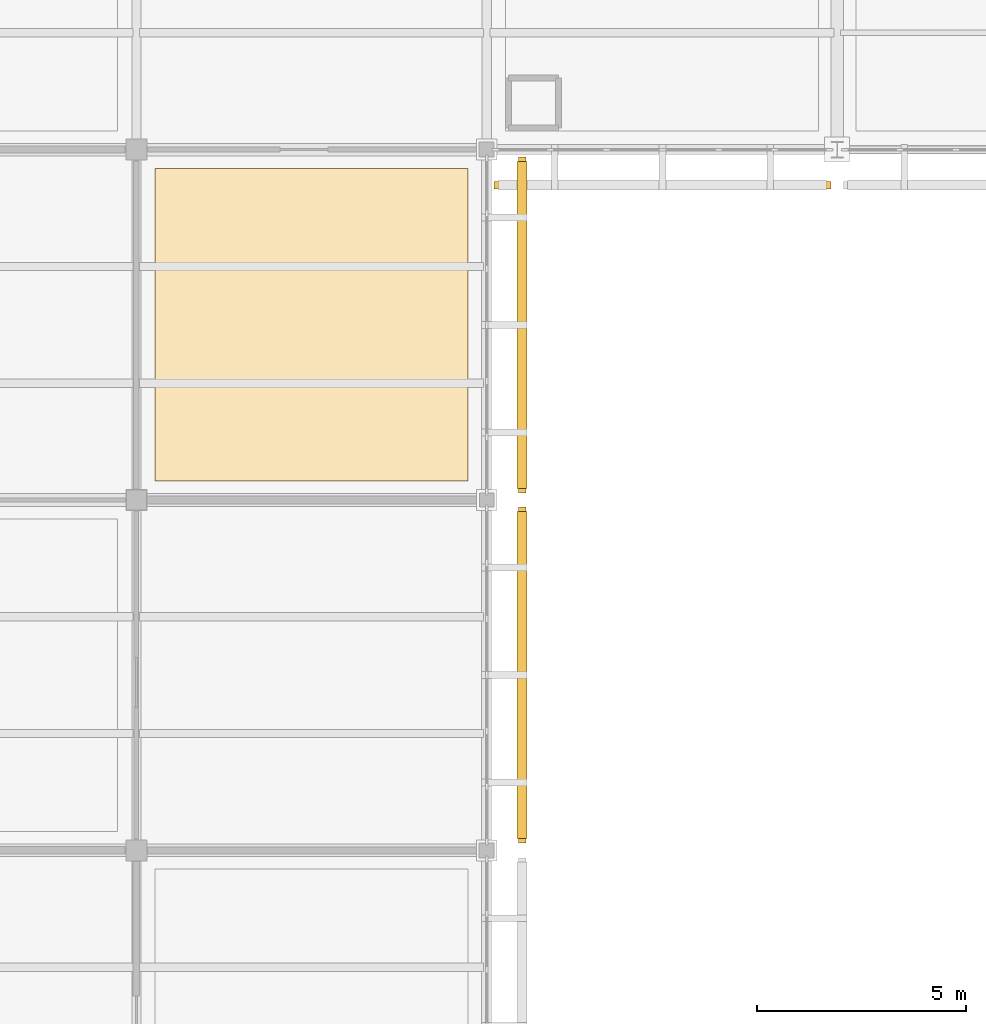
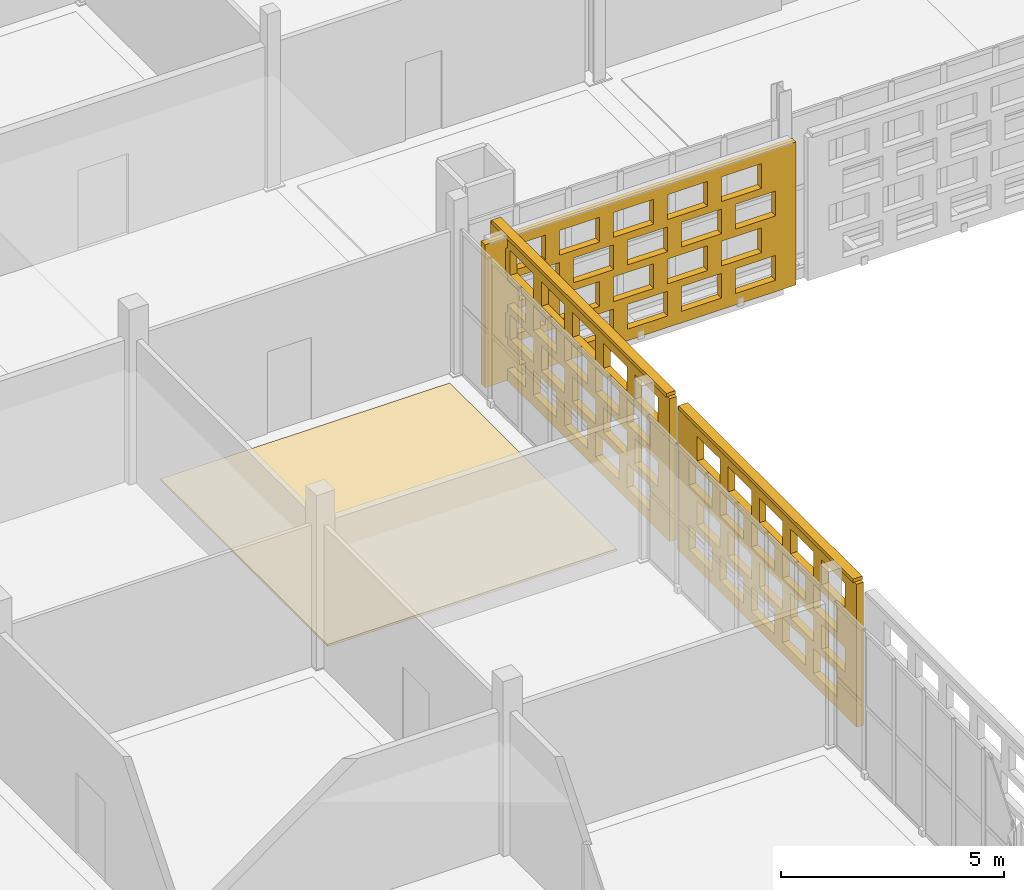
# One storey, part 159 of 203: 4 coverings, 2 shading devices, 60 openings.
"""IFC4 building model written with IfcOpenShell, lengths in metres."""

import ifcopenshell
import ifcopenshell.guid

model = None  # the IFC model being written
_history = None  # IfcOwnerHistory: only IFC2X3 demands one
_inside = {}  # id of a spatial element -> (the spatial element, [elements in it])
_under = {}  # id of a project, library or spatial element -> (it, [spatial elements below it])
_declared = {}  # id of a project -> (the project, [libraries it declares])
_typed = {}  # id of a type object -> (the type object, [elements of that type])
_made_of = {}  # id of a material, layer set ... -> (it, [elements and type objects made of it])


def new_model(schema):
    """Start an empty IFC model of exactly this schema.

    Asked for "IFC4X3", IfcOpenShell would pick the latest addendum, in which some entities
    have other attributes; the version numbers below select the first issue.
    IFC2X3 requires an IfcOwnerHistory on every rooted entity: one is made here for all.
    """
    global model, _history
    if schema == "IFC4X3":
        model = ifcopenshell.file(schema_version=(4, 3, 0, 0))
    else:
        model = ifcopenshell.file(schema=schema)
    _inside.clear()
    _under.clear()
    _declared.clear()
    _typed.clear()
    _made_of.clear()
    _history = None
    if model.schema == "IFC2X3":
        org = make("IfcOrganization", Name="unknown")
        user = make(
            "IfcPersonAndOrganization",
            ThePerson=make("IfcPerson", FamilyName="unknown"),
            TheOrganization=org,
        )
        app = make(
            "IfcApplication",
            ApplicationDeveloper=org,
            Version="unknown",
            ApplicationFullName="unknown",
            ApplicationIdentifier="unknown",
        )
        _history = make(
            "IfcOwnerHistory",
            OwningUser=user,
            OwningApplication=app,
            ChangeAction="ADDED",
            CreationDate=0,
        )
    return model


def make(cls, **values):
    """One entity of the class cls with the attributes given. An attribute that is None is left unset."""
    return model.create_entity(
        cls, **{name: value for name, value in values.items() if value is not None}
    )


def rooted(cls, **values):
    """An entity with a GlobalId (a new one), such as an element, a storey or a relation."""
    return make(cls, GlobalId=ifcopenshell.guid.new(), OwnerHistory=_history, **values)


def si_unit(unit_type, name, prefix=None):
    """IfcSIUnit, for example si_unit("LENGTHUNIT", "METRE", prefix="MILLI")."""
    return make("IfcSIUnit", UnitType=unit_type, Prefix=prefix, Name=name)


def assignment(units):
    """IfcUnitAssignment: the units of a project."""
    return None if units is None else make("IfcUnitAssignment", Units=units)


def point(xyz):
    """IfcCartesianPoint."""
    return None if xyz is None else make("IfcCartesianPoint", Coordinates=xyz)


def direction(xyz):
    """IfcDirection."""
    return None if xyz is None else make("IfcDirection", DirectionRatios=xyz)


def frame(location, z_axis=None, x_axis=None):
    """IfcAxis2Placement3D, a coordinate frame: its origin and axes. An axis left out is left unset."""
    return make(
        "IfcAxis2Placement3D",
        Location=point(location),
        Axis=direction(z_axis),
        RefDirection=direction(x_axis),
    )


def frame_2d(location, x_axis=None):
    """IfcAxis2Placement2D, a coordinate frame in the plane: its origin and x axis."""
    return make(
        "IfcAxis2Placement2D", Location=point(location), RefDirection=direction(x_axis)
    )


def origin():
    """The frame at (0, 0, 0) with its axes left unset."""
    return frame((0.0, 0.0, 0.0))


def origin_2d():
    """The frame at (0, 0) in the plane with its x axis left unset."""
    return frame_2d((0.0, 0.0))


def place(relative_to, where):
    """IfcLocalPlacement: puts the frame where relative to a parent placement (None: the world)."""
    return make(
        "IfcLocalPlacement", PlacementRelTo=relative_to, RelativePlacement=where
    )


def context(
    kind, dimensions, precision=None, world=None, true_north=None, identifier=None
):
    """IfcGeometricRepresentationContext, for example the 3D "Model" context."""
    return make(
        "IfcGeometricRepresentationContext",
        ContextIdentifier=identifier,
        ContextType=kind,
        CoordinateSpaceDimension=dimensions,
        Precision=precision,
        WorldCoordinateSystem=world,
        TrueNorth=true_north,
    )


def subcontext(parent, identifier, kind, view, scale=None):
    """IfcGeometricRepresentationSubContext, for example "Body" below "Model"."""
    return make(
        "IfcGeometricRepresentationSubContext",
        ContextIdentifier=identifier,
        ContextType=kind,
        ParentContext=parent,
        TargetScale=scale,
        TargetView=view,
    )


def project(units=None, contexts=None):
    """IfcProject with its units and contexts."""
    return rooted(
        "IfcProject",
        Name="project",
        RepresentationContexts=contexts,
        UnitsInContext=assignment(units),
    )


def spatial(cls, under=None, at=None, **own):
    """A site, building, storey or space (cls), placed at a placement, below another one or the project."""
    s = rooted(cls, ObjectPlacement=at, **own)
    if under is not None:
        _under.setdefault(under.id(), (under, []))[1].append(s)
    return s


def profile(cls, at=None, kind="AREA", **sizes):
    """A parametric profile (cls). Its sizes go by their IFC names, for example OverallWidth=200.0."""
    return make(cls, ProfileType=kind, Position=at, **sizes)


def rectangle(**sizes):
    """IfcRectangleProfileDef."""
    return profile("IfcRectangleProfileDef", **sizes)


def extrude(swept, where, along, depth):
    """IfcExtrudedAreaSolid: the profile swept, set in the frame where, extruded along a direction by depth."""
    return make(
        "IfcExtrudedAreaSolid",
        SweptArea=swept,
        Position=where,
        ExtrudedDirection=direction(along),
        Depth=depth,
    )


def shape(context_of_items, identifier, shape_type, items):
    """IfcShapeRepresentation: the items that make up one representation, for example the "Body"."""
    return make(
        "IfcShapeRepresentation",
        ContextOfItems=context_of_items,
        RepresentationIdentifier=identifier,
        RepresentationType=shape_type,
        Items=items,
    )


def material(Name=None, Category=None):
    """IfcMaterial."""
    return make("IfcMaterial", Name=Name, Category=Category)


def layer(
    of_material, thickness, ventilated=None, Name=None, Category=None, Priority=None
):
    """IfcMaterialLayer: one layer of a wall or slab, of a material (None: an air gap)."""
    return make(
        "IfcMaterialLayer",
        Material=of_material,
        LayerThickness=thickness,
        IsVentilated=ventilated,
        Name=Name,
        Category=Category,
        Priority=Priority,
    )


def layer_set(layers, Name=None):
    """IfcMaterialLayerSet."""
    return make("IfcMaterialLayerSet", MaterialLayers=layers, LayerSetName=Name)


def made_of(thing, what):
    """Note that an element or type object is made of a material, layer set ...; save() writes the relation."""
    if what is not None:
        _made_of.setdefault(what.id(), (what, []))[1].append(thing)
    return thing


def type_object(cls, material=None, **own):
    """A type object (cls), such as IfcWallType, which elements share."""
    return made_of(rooted(cls, **own), material)


def element(
    cls,
    number,
    at=None,
    inside=None,
    cuts=None,
    type_object=None,
    material=None,
    context=None,
    identifier="Body",
    shape_type=None,
    held_by="IfcProductDefinitionShape",
    body=None,
    shapes=None,
    **own,
):
    """One element of the class cls, such as IfcWall. Its Tag is "e" and its number.

    at: its placement. inside: the storey or other place that contains it. cuts: it is an
    opening in that element (IfcRelVoidsElement). A single representation is given by context,
    identifier, shape_type and body (its items); several are given by shapes. held_by: the class
    of the entity that holds the representations. save() writes the other relations.
    """
    e = rooted(cls, Tag="e%d" % number, ObjectPlacement=at, **own)
    if body is not None:
        shapes = [shape(context, identifier, shape_type, body)]
    if shapes is not None:
        e.Representation = make(held_by, Representations=shapes)
    if inside is not None:
        _inside.setdefault(inside.id(), (inside, []))[1].append(e)
    if cuts is not None:
        rooted(
            "IfcRelVoidsElement", RelatingBuildingElement=cuts, RelatedOpeningElement=e
        )
    if type_object is not None:
        _typed.setdefault(type_object.id(), (type_object, []))[1].append(e)
    return made_of(e, material)


def aggregate(whole, parts):
    """IfcRelAggregates: a whole, such as a stair, and the parts it consists of."""
    return rooted("IfcRelAggregates", RelatingObject=whole, RelatedObjects=parts)


def save(model, path):
    """Write the relations noted so far, then the file.

    IfcRelAggregates (storeys below a building ...), IfcRelContainedInSpatialStructure (elements
    in a storey), IfcRelDefinesByType, IfcRelAssociatesMaterial and IfcRelDeclares: one each for
    every whole, place, type object, material and project.
    """
    for whole, parts in _under.values():
        aggregate(whole, parts)
    for where, things in _inside.values():
        rooted(
            "IfcRelContainedInSpatialStructure",
            RelatedElements=things,
            RelatingStructure=where,
        )
    for kind, things in _typed.values():
        rooted("IfcRelDefinesByType", RelatedObjects=things, RelatingType=kind)
    for what, things in _made_of.values():
        rooted("IfcRelAssociatesMaterial", RelatedObjects=things, RelatingMaterial=what)
    for by, libraries in _declared.values():
        rooted("IfcRelDeclares", RelatingContext=by, RelatedDefinitions=libraries)
    model.write(path)


model = new_model("IFC4")

# Units and contexts
model_context = context("Model", 3, precision=1e-05, world=origin(), true_north=direction((0.0, 1.0)))
body_context = subcontext(model_context, "Body", "Model", "MODEL_VIEW")
ifc_project = project(units=[si_unit("LENGTHUNIT", "METRE"), si_unit("AREAUNIT", "SQUARE_METRE"), si_unit("VOLUMEUNIT", "CUBIC_METRE"), si_unit("PLANEANGLEUNIT", "RADIAN"), si_unit("MASSUNIT", "GRAM", prefix="KILO")], contexts=[model_context])

# Site, building, storey
site_placement = place(None, origin())
site = spatial("IfcSite", under=ifc_project, at=site_placement, CompositionType="ELEMENT")
building_placement = place(site_placement, origin())
building = spatial("IfcBuilding", under=site, at=building_placement, Name="Varnapada Polytechnic", CompositionType="ELEMENT")
storey_placement = place(building_placement, frame((0.0, 0.0, 4.800048828125)))
storey = spatial("IfcBuildingStorey", under=building, at=storey_placement, Name="L01", CompositionType="ELEMENT", Elevation=4.800048828125)

# Covering
ifc_material_1 = material(Name="Anti-Static Raised Laboratory Flooring")
ifc_layer_1 = layer(ifc_material_1, 0.06005859375)
ifc_layer_set_1 = layer_set([ifc_layer_1], Name="Anti-Static Raised Laboratory Flooring")
covering_type_1 = type_object("IfcCoveringType", Name="Floor Finish FLR-02", PredefinedType="FLOORING", material=ifc_layer_set_1)
covering_1_placement = place(storey_placement, frame((37.800048828125, 79.800048828125, 0.0), z_axis=(0.0, 0.0, 1.0), x_axis=(1.0, 0.0, 0.0)))
element("IfcCovering", 1, at=covering_1_placement, inside=storey, type_object=covering_type_1, Name="L01 floor finish panel (5,10)", PredefinedType="FLOORING", context=body_context, shape_type="SweptSolid", body=[
    extrude(rectangle(XDim=7.5, YDim=7.5, at=origin_2d()), origin(), (0.0, 0.0, 1.0), 0.06005859375),
])

# Covering, openings
ifc_material_2 = material(Name="Earth-toned architectural terracotta screen block", Category="masonry")
ifc_layer_2 = layer(ifc_material_2, 0.1201171875)
ifc_layer_set_2 = layer_set([ifc_layer_2], Name="Earth-toned architectural terracotta screen block")
covering_type_2 = type_object("IfcCoveringType", Name="Terracotta Screen Cladding CLD-01", PredefinedType="CLADDING", material=ifc_layer_set_2)
covering_2_placement = place(storey_placement, frame((42.85009765625, 75.429931640625, 0.0), z_axis=(0.0, 0.0, 1.0), x_axis=(0.0, -1.0, 0.0)))
covering_2 = element("IfcCovering", 2, at=covering_2_placement, inside=storey, type_object=covering_type_2, Name="L01 perforated terracotta block screen (33)", PredefinedType="CLADDING", context=body_context, shape_type="SweptSolid", body=[
    extrude(rectangle(XDim=8.050048828125, YDim=0.179931640625, at=frame_2d((4.02490234375, 0.0))), origin(), (0.0, 0.0, 1.0), 3.919921875),
])
opening_1_placement = place(covering_2_placement, frame((0.52490234375, 0.0, 0.313720703125)))
element("IfcOpeningElement", 3, at=opening_1_placement, cuts=covering_2, Name="Screen perforation TBS-L01-032.1", PredefinedType="OPENING", context=body_context, shape_type="SweptSolid", body=[
    extrude(rectangle(XDim=1.0400390625, YDim=0.679931640625, at=frame_2d((0.52001953125, 0.33984375))), frame((0.0, 0.099853515625, 0.0), z_axis=(0.0, -1.0, 0.0), x_axis=(1.0, 0.0, 0.0)), (0.0, 0.0, 1.0), 0.199951171875),
])
opening_2_placement = place(covering_2_placement, frame((1.925048828125, 0.0, 0.313720703125)))
element("IfcOpeningElement", 4, at=opening_2_placement, cuts=covering_2, Name="Screen perforation TBS-L01-032.2", PredefinedType="OPENING", context=body_context, shape_type="SweptSolid", body=[
    extrude(rectangle(XDim=1.0400390625, YDim=0.679931640625, at=frame_2d((0.52001953125, 0.33984375))), frame((0.0, 0.099853515625, 0.0), z_axis=(0.0, -1.0, 0.0), x_axis=(1.0, 0.0, 0.0)), (0.0, 0.0, 1.0), 0.199951171875),
])
opening_3_placement = place(covering_2_placement, frame((3.324951171875, 0.0, 0.313720703125)))
element("IfcOpeningElement", 5, at=opening_3_placement, cuts=covering_2, Name="Screen perforation TBS-L01-032.3", PredefinedType="OPENING", context=body_context, shape_type="SweptSolid", body=[
    extrude(rectangle(XDim=1.0400390625, YDim=0.679931640625, at=frame_2d((0.52001953125, 0.33984375))), frame((0.0, 0.099853515625, 0.0), z_axis=(0.0, -1.0, 0.0), x_axis=(1.0, 0.0, 0.0)), (0.0, 0.0, 1.0), 0.199951171875),
])
opening_4_placement = place(covering_2_placement, frame((4.72509765625, 0.0, 0.313720703125)))
element("IfcOpeningElement", 6, at=opening_4_placement, cuts=covering_2, Name="Screen perforation TBS-L01-032.4", PredefinedType="OPENING", context=body_context, shape_type="SweptSolid", body=[
    extrude(rectangle(XDim=1.0400390625, YDim=0.679931640625, at=frame_2d((0.52001953125, 0.33984375))), frame((0.0, 0.099853515625, 0.0), z_axis=(0.0, -1.0, 0.0), x_axis=(1.0, 0.0, 0.0)), (0.0, 0.0, 1.0), 0.199951171875),
])
opening_5_placement = place(covering_2_placement, frame((6.125, 0.0, 0.313720703125)))
element("IfcOpeningElement", 7, at=opening_5_placement, cuts=covering_2, Name="Screen perforation TBS-L01-032.5", PredefinedType="OPENING", context=body_context, shape_type="SweptSolid", body=[
    extrude(rectangle(XDim=1.0400390625, YDim=0.679931640625, at=frame_2d((0.52001953125, 0.33984375))), frame((0.0, 0.099853515625, 0.0), z_axis=(0.0, -1.0, 0.0), x_axis=(1.0, 0.0, 0.0)), (0.0, 0.0, 1.0), 0.199951171875),
])
opening_6_placement = place(covering_2_placement, frame((0.885009765625, 0.0, 1.195556640625)))
element("IfcOpeningElement", 8, at=opening_6_placement, cuts=covering_2, Name="Screen perforation TBS-L01-032.6", PredefinedType="OPENING", context=body_context, shape_type="SweptSolid", body=[
    extrude(rectangle(XDim=1.0400390625, YDim=0.679931640625, at=frame_2d((0.52001953125, 0.33984375))), frame((0.0, 0.099853515625, 0.0), z_axis=(0.0, -1.0, 0.0), x_axis=(1.0, 0.0, 0.0)), (0.0, 0.0, 1.0), 0.199951171875),
])
opening_7_placement = place(covering_2_placement, frame((2.284912109375, 0.0, 1.195556640625)))
element("IfcOpeningElement", 9, at=opening_7_placement, cuts=covering_2, Name="Screen perforation TBS-L01-032.7", PredefinedType="OPENING", context=body_context, shape_type="SweptSolid", body=[
    extrude(rectangle(XDim=1.0400390625, YDim=0.679931640625, at=frame_2d((0.52001953125, 0.33984375))), frame((0.0, 0.099853515625, 0.0), z_axis=(0.0, -1.0, 0.0), x_axis=(1.0, 0.0, 0.0)), (0.0, 0.0, 1.0), 0.199951171875),
])
opening_8_placement = place(covering_2_placement, frame((3.68505859375, 0.0, 1.195556640625)))
element("IfcOpeningElement", 10, at=opening_8_placement, cuts=covering_2, Name="Screen perforation TBS-L01-032.8", PredefinedType="OPENING", context=body_context, shape_type="SweptSolid", body=[
    extrude(rectangle(XDim=1.0400390625, YDim=0.679931640625, at=frame_2d((0.52001953125, 0.33984375))), frame((0.0, 0.099853515625, 0.0), z_axis=(0.0, -1.0, 0.0), x_axis=(1.0, 0.0, 0.0)), (0.0, 0.0, 1.0), 0.199951171875),
])
opening_9_placement = place(covering_2_placement, frame((5.0849609375, 0.0, 1.195556640625)))
element("IfcOpeningElement", 11, at=opening_9_placement, cuts=covering_2, Name="Screen perforation TBS-L01-032.9", PredefinedType="OPENING", context=body_context, shape_type="SweptSolid", body=[
    extrude(rectangle(XDim=1.0400390625, YDim=0.679931640625, at=frame_2d((0.52001953125, 0.33984375))), frame((0.0, 0.099853515625, 0.0), z_axis=(0.0, -1.0, 0.0), x_axis=(1.0, 0.0, 0.0)), (0.0, 0.0, 1.0), 0.199951171875),
])
opening_10_placement = place(covering_2_placement, frame((6.485107421875, 0.0, 1.195556640625)))
element("IfcOpeningElement", 12, at=opening_10_placement, cuts=covering_2, Name="Screen perforation TBS-L01-032.10", PredefinedType="OPENING", context=body_context, shape_type="SweptSolid", body=[
    extrude(rectangle(XDim=1.0400390625, YDim=0.679931640625, at=frame_2d((0.52001953125, 0.33984375))), frame((0.0, 0.099853515625, 0.0), z_axis=(0.0, -1.0, 0.0), x_axis=(1.0, 0.0, 0.0)), (0.0, 0.0, 1.0), 0.199951171875),
])
opening_11_placement = place(covering_2_placement, frame((0.52490234375, 0.0, 2.07763671875)))
element("IfcOpeningElement", 13, at=opening_11_placement, cuts=covering_2, Name="Screen perforation TBS-L01-032.11", PredefinedType="OPENING", context=body_context, shape_type="SweptSolid", body=[
    extrude(rectangle(XDim=1.0400390625, YDim=0.679931640625, at=frame_2d((0.52001953125, 0.33984375))), frame((0.0, 0.099853515625, 0.0), z_axis=(0.0, -1.0, 0.0), x_axis=(1.0, 0.0, 0.0)), (0.0, 0.0, 1.0), 0.199951171875),
])
opening_12_placement = place(covering_2_placement, frame((1.925048828125, 0.0, 2.07763671875)))
element("IfcOpeningElement", 14, at=opening_12_placement, cuts=covering_2, Name="Screen perforation TBS-L01-032.12", PredefinedType="OPENING", context=body_context, shape_type="SweptSolid", body=[
    extrude(rectangle(XDim=1.0400390625, YDim=0.679931640625, at=frame_2d((0.52001953125, 0.33984375))), frame((0.0, 0.099853515625, 0.0), z_axis=(0.0, -1.0, 0.0), x_axis=(1.0, 0.0, 0.0)), (0.0, 0.0, 1.0), 0.199951171875),
])
opening_13_placement = place(covering_2_placement, frame((3.324951171875, 0.0, 2.07763671875)))
element("IfcOpeningElement", 15, at=opening_13_placement, cuts=covering_2, Name="Screen perforation TBS-L01-032.13", PredefinedType="OPENING", context=body_context, shape_type="SweptSolid", body=[
    extrude(rectangle(XDim=1.0400390625, YDim=0.679931640625, at=frame_2d((0.52001953125, 0.33984375))), frame((0.0, 0.099853515625, 0.0), z_axis=(0.0, -1.0, 0.0), x_axis=(1.0, 0.0, 0.0)), (0.0, 0.0, 1.0), 0.199951171875),
])
opening_14_placement = place(covering_2_placement, frame((4.72509765625, 0.0, 2.07763671875)))
element("IfcOpeningElement", 16, at=opening_14_placement, cuts=covering_2, Name="Screen perforation TBS-L01-032.14", PredefinedType="OPENING", context=body_context, shape_type="SweptSolid", body=[
    extrude(rectangle(XDim=1.0400390625, YDim=0.679931640625, at=frame_2d((0.52001953125, 0.33984375))), frame((0.0, 0.099853515625, 0.0), z_axis=(0.0, -1.0, 0.0), x_axis=(1.0, 0.0, 0.0)), (0.0, 0.0, 1.0), 0.199951171875),
])
opening_15_placement = place(covering_2_placement, frame((6.125, 0.0, 2.07763671875)))
element("IfcOpeningElement", 17, at=opening_15_placement, cuts=covering_2, Name="Screen perforation TBS-L01-032.15", PredefinedType="OPENING", context=body_context, shape_type="SweptSolid", body=[
    extrude(rectangle(XDim=1.0400390625, YDim=0.679931640625, at=frame_2d((0.52001953125, 0.33984375))), frame((0.0, 0.099853515625, 0.0), z_axis=(0.0, -1.0, 0.0), x_axis=(1.0, 0.0, 0.0)), (0.0, 0.0, 1.0), 0.199951171875),
])
opening_16_placement = place(covering_2_placement, frame((0.885009765625, 0.0, 2.959716796875)))
element("IfcOpeningElement", 18, at=opening_16_placement, cuts=covering_2, Name="Screen perforation TBS-L01-032.16", PredefinedType="OPENING", context=body_context, shape_type="SweptSolid", body=[
    extrude(rectangle(XDim=1.0400390625, YDim=0.679931640625, at=frame_2d((0.52001953125, 0.33984375))), frame((0.0, 0.099853515625, 0.0), z_axis=(0.0, -1.0, 0.0), x_axis=(1.0, 0.0, 0.0)), (0.0, 0.0, 1.0), 0.199951171875),
])
opening_17_placement = place(covering_2_placement, frame((2.284912109375, 0.0, 2.959716796875)))
element("IfcOpeningElement", 19, at=opening_17_placement, cuts=covering_2, Name="Screen perforation TBS-L01-032.17", PredefinedType="OPENING", context=body_context, shape_type="SweptSolid", body=[
    extrude(rectangle(XDim=1.0400390625, YDim=0.679931640625, at=frame_2d((0.52001953125, 0.33984375))), frame((0.0, 0.099853515625, 0.0), z_axis=(0.0, -1.0, 0.0), x_axis=(1.0, 0.0, 0.0)), (0.0, 0.0, 1.0), 0.199951171875),
])
opening_18_placement = place(covering_2_placement, frame((3.68505859375, 0.0, 2.959716796875)))
element("IfcOpeningElement", 20, at=opening_18_placement, cuts=covering_2, Name="Screen perforation TBS-L01-032.18", PredefinedType="OPENING", context=body_context, shape_type="SweptSolid", body=[
    extrude(rectangle(XDim=1.0400390625, YDim=0.679931640625, at=frame_2d((0.52001953125, 0.33984375))), frame((0.0, 0.099853515625, 0.0), z_axis=(0.0, -1.0, 0.0), x_axis=(1.0, 0.0, 0.0)), (0.0, 0.0, 1.0), 0.199951171875),
])
opening_19_placement = place(covering_2_placement, frame((5.0849609375, 0.0, 2.959716796875)))
element("IfcOpeningElement", 21, at=opening_19_placement, cuts=covering_2, Name="Screen perforation TBS-L01-032.19", PredefinedType="OPENING", context=body_context, shape_type="SweptSolid", body=[
    extrude(rectangle(XDim=1.0400390625, YDim=0.679931640625, at=frame_2d((0.52001953125, 0.33984375))), frame((0.0, 0.099853515625, 0.0), z_axis=(0.0, -1.0, 0.0), x_axis=(1.0, 0.0, 0.0)), (0.0, 0.0, 1.0), 0.199951171875),
])
opening_20_placement = place(covering_2_placement, frame((6.485107421875, 0.0, 2.959716796875)))
element("IfcOpeningElement", 22, at=opening_20_placement, cuts=covering_2, Name="Screen perforation TBS-L01-032.20", PredefinedType="OPENING", context=body_context, shape_type="SweptSolid", body=[
    extrude(rectangle(XDim=1.0400390625, YDim=0.679931640625, at=frame_2d((0.52001953125, 0.33984375))), frame((0.0, 0.099853515625, 0.0), z_axis=(0.0, -1.0, 0.0), x_axis=(1.0, 0.0, 0.0)), (0.0, 0.0, 1.0), 0.199951171875),
])

covering_3_placement = place(storey_placement, frame((42.85009765625, 83.820068359375, 0.0), z_axis=(0.0, 0.0, 1.0), x_axis=(0.0, -1.0, 0.0)))
covering_3 = element("IfcCovering", 23, at=covering_3_placement, inside=storey, type_object=covering_type_2, Name="L01 perforated terracotta block screen (34)", PredefinedType="CLADDING", context=body_context, shape_type="SweptSolid", body=[
    extrude(rectangle(XDim=8.050048828125, YDim=0.179931640625, at=frame_2d((4.02490234375, 0.0))), origin(), (0.0, 0.0, 1.0), 3.919921875),
])
opening_21_placement = place(covering_3_placement, frame((0.52490234375, 0.0, 0.313720703125)))
element("IfcOpeningElement", 24, at=opening_21_placement, cuts=covering_3, Name="Screen perforation TBS-L01-033.1", PredefinedType="OPENING", context=body_context, shape_type="SweptSolid", body=[
    extrude(rectangle(XDim=1.0400390625, YDim=0.679931640625, at=frame_2d((0.52001953125, 0.33984375))), frame((0.0, 0.099853515625, 0.0), z_axis=(0.0, -1.0, 0.0), x_axis=(1.0, 0.0, 0.0)), (0.0, 0.0, 1.0), 0.199951171875),
])
opening_22_placement = place(covering_3_placement, frame((1.925048828125, 0.0, 0.313720703125)))
element("IfcOpeningElement", 25, at=opening_22_placement, cuts=covering_3, Name="Screen perforation TBS-L01-033.2", PredefinedType="OPENING", context=body_context, shape_type="SweptSolid", body=[
    extrude(rectangle(XDim=1.0400390625, YDim=0.679931640625, at=frame_2d((0.52001953125, 0.33984375))), frame((0.0, 0.099853515625, 0.0), z_axis=(0.0, -1.0, 0.0), x_axis=(1.0, 0.0, 0.0)), (0.0, 0.0, 1.0), 0.199951171875),
])
opening_23_placement = place(covering_3_placement, frame((3.324951171875, 0.0, 0.313720703125)))
element("IfcOpeningElement", 26, at=opening_23_placement, cuts=covering_3, Name="Screen perforation TBS-L01-033.3", PredefinedType="OPENING", context=body_context, shape_type="SweptSolid", body=[
    extrude(rectangle(XDim=1.0400390625, YDim=0.679931640625, at=frame_2d((0.52001953125, 0.33984375))), frame((0.0, 0.099853515625, 0.0), z_axis=(0.0, -1.0, 0.0), x_axis=(1.0, 0.0, 0.0)), (0.0, 0.0, 1.0), 0.199951171875),
])
opening_24_placement = place(covering_3_placement, frame((4.72509765625, 0.0, 0.313720703125)))
element("IfcOpeningElement", 27, at=opening_24_placement, cuts=covering_3, Name="Screen perforation TBS-L01-033.4", PredefinedType="OPENING", context=body_context, shape_type="SweptSolid", body=[
    extrude(rectangle(XDim=1.0400390625, YDim=0.679931640625, at=frame_2d((0.52001953125, 0.33984375))), frame((0.0, 0.099853515625, 0.0), z_axis=(0.0, -1.0, 0.0), x_axis=(1.0, 0.0, 0.0)), (0.0, 0.0, 1.0), 0.199951171875),
])
opening_25_placement = place(covering_3_placement, frame((6.125, 0.0, 0.313720703125)))
element("IfcOpeningElement", 28, at=opening_25_placement, cuts=covering_3, Name="Screen perforation TBS-L01-033.5", PredefinedType="OPENING", context=body_context, shape_type="SweptSolid", body=[
    extrude(rectangle(XDim=1.0400390625, YDim=0.679931640625, at=frame_2d((0.52001953125, 0.33984375))), frame((0.0, 0.099853515625, 0.0), z_axis=(0.0, -1.0, 0.0), x_axis=(1.0, 0.0, 0.0)), (0.0, 0.0, 1.0), 0.199951171875),
])
opening_26_placement = place(covering_3_placement, frame((0.885009765625, 0.0, 1.195556640625)))
element("IfcOpeningElement", 29, at=opening_26_placement, cuts=covering_3, Name="Screen perforation TBS-L01-033.6", PredefinedType="OPENING", context=body_context, shape_type="SweptSolid", body=[
    extrude(rectangle(XDim=1.0400390625, YDim=0.679931640625, at=frame_2d((0.52001953125, 0.33984375))), frame((0.0, 0.099853515625, 0.0), z_axis=(0.0, -1.0, 0.0), x_axis=(1.0, 0.0, 0.0)), (0.0, 0.0, 1.0), 0.199951171875),
])
opening_27_placement = place(covering_3_placement, frame((2.284912109375, 0.0, 1.195556640625)))
element("IfcOpeningElement", 30, at=opening_27_placement, cuts=covering_3, Name="Screen perforation TBS-L01-033.7", PredefinedType="OPENING", context=body_context, shape_type="SweptSolid", body=[
    extrude(rectangle(XDim=1.0400390625, YDim=0.679931640625, at=frame_2d((0.52001953125, 0.33984375))), frame((0.0, 0.099853515625, 0.0), z_axis=(0.0, -1.0, 0.0), x_axis=(1.0, 0.0, 0.0)), (0.0, 0.0, 1.0), 0.199951171875),
])
opening_28_placement = place(covering_3_placement, frame((3.68505859375, 0.0, 1.195556640625)))
element("IfcOpeningElement", 31, at=opening_28_placement, cuts=covering_3, Name="Screen perforation TBS-L01-033.8", PredefinedType="OPENING", context=body_context, shape_type="SweptSolid", body=[
    extrude(rectangle(XDim=1.0400390625, YDim=0.679931640625, at=frame_2d((0.52001953125, 0.33984375))), frame((0.0, 0.099853515625, 0.0), z_axis=(0.0, -1.0, 0.0), x_axis=(1.0, 0.0, 0.0)), (0.0, 0.0, 1.0), 0.199951171875),
])
opening_29_placement = place(covering_3_placement, frame((5.0849609375, 0.0, 1.195556640625)))
element("IfcOpeningElement", 32, at=opening_29_placement, cuts=covering_3, Name="Screen perforation TBS-L01-033.9", PredefinedType="OPENING", context=body_context, shape_type="SweptSolid", body=[
    extrude(rectangle(XDim=1.0400390625, YDim=0.679931640625, at=frame_2d((0.52001953125, 0.33984375))), frame((0.0, 0.099853515625, 0.0), z_axis=(0.0, -1.0, 0.0), x_axis=(1.0, 0.0, 0.0)), (0.0, 0.0, 1.0), 0.199951171875),
])
opening_30_placement = place(covering_3_placement, frame((6.485107421875, 0.0, 1.195556640625)))
element("IfcOpeningElement", 33, at=opening_30_placement, cuts=covering_3, Name="Screen perforation TBS-L01-033.10", PredefinedType="OPENING", context=body_context, shape_type="SweptSolid", body=[
    extrude(rectangle(XDim=1.0400390625, YDim=0.679931640625, at=frame_2d((0.52001953125, 0.33984375))), frame((0.0, 0.099853515625, 0.0), z_axis=(0.0, -1.0, 0.0), x_axis=(1.0, 0.0, 0.0)), (0.0, 0.0, 1.0), 0.199951171875),
])
opening_31_placement = place(covering_3_placement, frame((0.52490234375, 0.0, 2.07763671875)))
element("IfcOpeningElement", 34, at=opening_31_placement, cuts=covering_3, Name="Screen perforation TBS-L01-033.11", PredefinedType="OPENING", context=body_context, shape_type="SweptSolid", body=[
    extrude(rectangle(XDim=1.0400390625, YDim=0.679931640625, at=frame_2d((0.52001953125, 0.33984375))), frame((0.0, 0.099853515625, 0.0), z_axis=(0.0, -1.0, 0.0), x_axis=(1.0, 0.0, 0.0)), (0.0, 0.0, 1.0), 0.199951171875),
])
opening_32_placement = place(covering_3_placement, frame((1.925048828125, 0.0, 2.07763671875)))
element("IfcOpeningElement", 35, at=opening_32_placement, cuts=covering_3, Name="Screen perforation TBS-L01-033.12", PredefinedType="OPENING", context=body_context, shape_type="SweptSolid", body=[
    extrude(rectangle(XDim=1.0400390625, YDim=0.679931640625, at=frame_2d((0.52001953125, 0.33984375))), frame((0.0, 0.099853515625, 0.0), z_axis=(0.0, -1.0, 0.0), x_axis=(1.0, 0.0, 0.0)), (0.0, 0.0, 1.0), 0.199951171875),
])
opening_33_placement = place(covering_3_placement, frame((3.324951171875, 0.0, 2.07763671875)))
element("IfcOpeningElement", 36, at=opening_33_placement, cuts=covering_3, Name="Screen perforation TBS-L01-033.13", PredefinedType="OPENING", context=body_context, shape_type="SweptSolid", body=[
    extrude(rectangle(XDim=1.0400390625, YDim=0.679931640625, at=frame_2d((0.52001953125, 0.33984375))), frame((0.0, 0.099853515625, 0.0), z_axis=(0.0, -1.0, 0.0), x_axis=(1.0, 0.0, 0.0)), (0.0, 0.0, 1.0), 0.199951171875),
])
opening_34_placement = place(covering_3_placement, frame((4.72509765625, 0.0, 2.07763671875)))
element("IfcOpeningElement", 37, at=opening_34_placement, cuts=covering_3, Name="Screen perforation TBS-L01-033.14", PredefinedType="OPENING", context=body_context, shape_type="SweptSolid", body=[
    extrude(rectangle(XDim=1.0400390625, YDim=0.679931640625, at=frame_2d((0.52001953125, 0.33984375))), frame((0.0, 0.099853515625, 0.0), z_axis=(0.0, -1.0, 0.0), x_axis=(1.0, 0.0, 0.0)), (0.0, 0.0, 1.0), 0.199951171875),
])
opening_35_placement = place(covering_3_placement, frame((6.125, 0.0, 2.07763671875)))
element("IfcOpeningElement", 38, at=opening_35_placement, cuts=covering_3, Name="Screen perforation TBS-L01-033.15", PredefinedType="OPENING", context=body_context, shape_type="SweptSolid", body=[
    extrude(rectangle(XDim=1.0400390625, YDim=0.679931640625, at=frame_2d((0.52001953125, 0.33984375))), frame((0.0, 0.099853515625, 0.0), z_axis=(0.0, -1.0, 0.0), x_axis=(1.0, 0.0, 0.0)), (0.0, 0.0, 1.0), 0.199951171875),
])
opening_36_placement = place(covering_3_placement, frame((0.885009765625, 0.0, 2.959716796875)))
element("IfcOpeningElement", 39, at=opening_36_placement, cuts=covering_3, Name="Screen perforation TBS-L01-033.16", PredefinedType="OPENING", context=body_context, shape_type="SweptSolid", body=[
    extrude(rectangle(XDim=1.0400390625, YDim=0.679931640625, at=frame_2d((0.52001953125, 0.33984375))), frame((0.0, 0.099853515625, 0.0), z_axis=(0.0, -1.0, 0.0), x_axis=(1.0, 0.0, 0.0)), (0.0, 0.0, 1.0), 0.199951171875),
])
opening_37_placement = place(covering_3_placement, frame((2.284912109375, 0.0, 2.959716796875)))
element("IfcOpeningElement", 40, at=opening_37_placement, cuts=covering_3, Name="Screen perforation TBS-L01-033.17", PredefinedType="OPENING", context=body_context, shape_type="SweptSolid", body=[
    extrude(rectangle(XDim=1.0400390625, YDim=0.679931640625, at=frame_2d((0.52001953125, 0.33984375))), frame((0.0, 0.099853515625, 0.0), z_axis=(0.0, -1.0, 0.0), x_axis=(1.0, 0.0, 0.0)), (0.0, 0.0, 1.0), 0.199951171875),
])
opening_38_placement = place(covering_3_placement, frame((3.68505859375, 0.0, 2.959716796875)))
element("IfcOpeningElement", 41, at=opening_38_placement, cuts=covering_3, Name="Screen perforation TBS-L01-033.18", PredefinedType="OPENING", context=body_context, shape_type="SweptSolid", body=[
    extrude(rectangle(XDim=1.0400390625, YDim=0.679931640625, at=frame_2d((0.52001953125, 0.33984375))), frame((0.0, 0.099853515625, 0.0), z_axis=(0.0, -1.0, 0.0), x_axis=(1.0, 0.0, 0.0)), (0.0, 0.0, 1.0), 0.199951171875),
])
opening_39_placement = place(covering_3_placement, frame((5.0849609375, 0.0, 2.959716796875)))
element("IfcOpeningElement", 42, at=opening_39_placement, cuts=covering_3, Name="Screen perforation TBS-L01-033.19", PredefinedType="OPENING", context=body_context, shape_type="SweptSolid", body=[
    extrude(rectangle(XDim=1.0400390625, YDim=0.679931640625, at=frame_2d((0.52001953125, 0.33984375))), frame((0.0, 0.099853515625, 0.0), z_axis=(0.0, -1.0, 0.0), x_axis=(1.0, 0.0, 0.0)), (0.0, 0.0, 1.0), 0.199951171875),
])
opening_40_placement = place(covering_3_placement, frame((6.485107421875, 0.0, 2.959716796875)))
element("IfcOpeningElement", 43, at=opening_40_placement, cuts=covering_3, Name="Screen perforation TBS-L01-033.20", PredefinedType="OPENING", context=body_context, shape_type="SweptSolid", body=[
    extrude(rectangle(XDim=1.0400390625, YDim=0.679931640625, at=frame_2d((0.52001953125, 0.33984375))), frame((0.0, 0.099853515625, 0.0), z_axis=(0.0, -1.0, 0.0), x_axis=(1.0, 0.0, 0.0)), (0.0, 0.0, 1.0), 0.199951171875),
])

covering_4_placement = place(storey_placement, frame((50.25, 83.14990234375, 0.0), z_axis=(0.0, 0.0, 1.0), x_axis=(-1.0, 0.0, 0.0)))
covering_4 = element("IfcCovering", 44, at=covering_4_placement, inside=storey, type_object=covering_type_2, Name="L01 perforated terracotta block screen (41)", PredefinedType="CLADDING", context=body_context, shape_type="SweptSolid", body=[
    extrude(rectangle(XDim=8.070068359375, YDim=0.179931640625, at=frame_2d((4.03515625, 0.0))), origin(), (0.0, 0.0, 1.0), 3.919921875),
])
opening_41_placement = place(covering_4_placement, frame((0.534912109375, 0.0, 0.313720703125)))
element("IfcOpeningElement", 45, at=opening_41_placement, cuts=covering_4, Name="Screen perforation TBS-L01-040.1", PredefinedType="OPENING", context=body_context, shape_type="SweptSolid", body=[
    extrude(rectangle(XDim=1.0400390625, YDim=0.679931640625, at=frame_2d((0.52001953125, 0.33984375))), frame((0.0, 0.099853515625, 0.0), z_axis=(0.0, -1.0, 0.0), x_axis=(1.0, 0.0, 0.0)), (0.0, 0.0, 1.0), 0.199951171875),
])
opening_42_placement = place(covering_4_placement, frame((1.93505859375, 0.0, 0.313720703125)))
element("IfcOpeningElement", 46, at=opening_42_placement, cuts=covering_4, Name="Screen perforation TBS-L01-040.2", PredefinedType="OPENING", context=body_context, shape_type="SweptSolid", body=[
    extrude(rectangle(XDim=1.0400390625, YDim=0.679931640625, at=frame_2d((0.52001953125, 0.33984375))), frame((0.0, 0.099853515625, 0.0), z_axis=(0.0, -1.0, 0.0), x_axis=(1.0, 0.0, 0.0)), (0.0, 0.0, 1.0), 0.199951171875),
])
opening_43_placement = place(covering_4_placement, frame((3.3349609375, 0.0, 0.313720703125)))
element("IfcOpeningElement", 47, at=opening_43_placement, cuts=covering_4, Name="Screen perforation TBS-L01-040.3", PredefinedType="OPENING", context=body_context, shape_type="SweptSolid", body=[
    extrude(rectangle(XDim=1.0400390625, YDim=0.679931640625, at=frame_2d((0.52001953125, 0.33984375))), frame((0.0, 0.099853515625, 0.0), z_axis=(0.0, -1.0, 0.0), x_axis=(1.0, 0.0, 0.0)), (0.0, 0.0, 1.0), 0.199951171875),
])
opening_44_placement = place(covering_4_placement, frame((4.735107421875, 0.0, 0.313720703125)))
element("IfcOpeningElement", 48, at=opening_44_placement, cuts=covering_4, Name="Screen perforation TBS-L01-040.4", PredefinedType="OPENING", context=body_context, shape_type="SweptSolid", body=[
    extrude(rectangle(XDim=1.0400390625, YDim=0.679931640625, at=frame_2d((0.52001953125, 0.33984375))), frame((0.0, 0.099853515625, 0.0), z_axis=(0.0, -1.0, 0.0), x_axis=(1.0, 0.0, 0.0)), (0.0, 0.0, 1.0), 0.199951171875),
])
opening_45_placement = place(covering_4_placement, frame((6.135009765625, 0.0, 0.313720703125)))
element("IfcOpeningElement", 49, at=opening_45_placement, cuts=covering_4, Name="Screen perforation TBS-L01-040.5", PredefinedType="OPENING", context=body_context, shape_type="SweptSolid", body=[
    extrude(rectangle(XDim=1.0400390625, YDim=0.679931640625, at=frame_2d((0.52001953125, 0.33984375))), frame((0.0, 0.099853515625, 0.0), z_axis=(0.0, -1.0, 0.0), x_axis=(1.0, 0.0, 0.0)), (0.0, 0.0, 1.0), 0.199951171875),
])
opening_46_placement = place(covering_4_placement, frame((0.89501953125, 0.0, 1.195556640625)))
element("IfcOpeningElement", 50, at=opening_46_placement, cuts=covering_4, Name="Screen perforation TBS-L01-040.6", PredefinedType="OPENING", context=body_context, shape_type="SweptSolid", body=[
    extrude(rectangle(XDim=1.0400390625, YDim=0.679931640625, at=frame_2d((0.52001953125, 0.33984375))), frame((0.0, 0.099853515625, 0.0), z_axis=(0.0, -1.0, 0.0), x_axis=(1.0, 0.0, 0.0)), (0.0, 0.0, 1.0), 0.199951171875),
])
opening_47_placement = place(covering_4_placement, frame((2.294921875, 0.0, 1.195556640625)))
element("IfcOpeningElement", 51, at=opening_47_placement, cuts=covering_4, Name="Screen perforation TBS-L01-040.7", PredefinedType="OPENING", context=body_context, shape_type="SweptSolid", body=[
    extrude(rectangle(XDim=1.0400390625, YDim=0.679931640625, at=frame_2d((0.52001953125, 0.33984375))), frame((0.0, 0.099853515625, 0.0), z_axis=(0.0, -1.0, 0.0), x_axis=(1.0, 0.0, 0.0)), (0.0, 0.0, 1.0), 0.199951171875),
])
opening_48_placement = place(covering_4_placement, frame((3.695068359375, 0.0, 1.195556640625)))
element("IfcOpeningElement", 52, at=opening_48_placement, cuts=covering_4, Name="Screen perforation TBS-L01-040.8", PredefinedType="OPENING", context=body_context, shape_type="SweptSolid", body=[
    extrude(rectangle(XDim=1.0400390625, YDim=0.679931640625, at=frame_2d((0.52001953125, 0.33984375))), frame((0.0, 0.099853515625, 0.0), z_axis=(0.0, -1.0, 0.0), x_axis=(1.0, 0.0, 0.0)), (0.0, 0.0, 1.0), 0.199951171875),
])
opening_49_placement = place(covering_4_placement, frame((5.094970703125, 0.0, 1.195556640625)))
element("IfcOpeningElement", 53, at=opening_49_placement, cuts=covering_4, Name="Screen perforation TBS-L01-040.9", PredefinedType="OPENING", context=body_context, shape_type="SweptSolid", body=[
    extrude(rectangle(XDim=1.0400390625, YDim=0.679931640625, at=frame_2d((0.52001953125, 0.33984375))), frame((0.0, 0.099853515625, 0.0), z_axis=(0.0, -1.0, 0.0), x_axis=(1.0, 0.0, 0.0)), (0.0, 0.0, 1.0), 0.199951171875),
])
opening_50_placement = place(covering_4_placement, frame((6.4951171875, 0.0, 1.195556640625)))
element("IfcOpeningElement", 54, at=opening_50_placement, cuts=covering_4, Name="Screen perforation TBS-L01-040.10", PredefinedType="OPENING", context=body_context, shape_type="SweptSolid", body=[
    extrude(rectangle(XDim=1.0400390625, YDim=0.679931640625, at=frame_2d((0.52001953125, 0.33984375))), frame((0.0, 0.099853515625, 0.0), z_axis=(0.0, -1.0, 0.0), x_axis=(1.0, 0.0, 0.0)), (0.0, 0.0, 1.0), 0.199951171875),
])
opening_51_placement = place(covering_4_placement, frame((0.534912109375, 0.0, 2.07763671875)))
element("IfcOpeningElement", 55, at=opening_51_placement, cuts=covering_4, Name="Screen perforation TBS-L01-040.11", PredefinedType="OPENING", context=body_context, shape_type="SweptSolid", body=[
    extrude(rectangle(XDim=1.0400390625, YDim=0.679931640625, at=frame_2d((0.52001953125, 0.33984375))), frame((0.0, 0.099853515625, 0.0), z_axis=(0.0, -1.0, 0.0), x_axis=(1.0, 0.0, 0.0)), (0.0, 0.0, 1.0), 0.199951171875),
])
opening_52_placement = place(covering_4_placement, frame((1.93505859375, 0.0, 2.07763671875)))
element("IfcOpeningElement", 56, at=opening_52_placement, cuts=covering_4, Name="Screen perforation TBS-L01-040.12", PredefinedType="OPENING", context=body_context, shape_type="SweptSolid", body=[
    extrude(rectangle(XDim=1.0400390625, YDim=0.679931640625, at=frame_2d((0.52001953125, 0.33984375))), frame((0.0, 0.099853515625, 0.0), z_axis=(0.0, -1.0, 0.0), x_axis=(1.0, 0.0, 0.0)), (0.0, 0.0, 1.0), 0.199951171875),
])
opening_53_placement = place(covering_4_placement, frame((3.3349609375, 0.0, 2.07763671875)))
element("IfcOpeningElement", 57, at=opening_53_placement, cuts=covering_4, Name="Screen perforation TBS-L01-040.13", PredefinedType="OPENING", context=body_context, shape_type="SweptSolid", body=[
    extrude(rectangle(XDim=1.0400390625, YDim=0.679931640625, at=frame_2d((0.52001953125, 0.33984375))), frame((0.0, 0.099853515625, 0.0), z_axis=(0.0, -1.0, 0.0), x_axis=(1.0, 0.0, 0.0)), (0.0, 0.0, 1.0), 0.199951171875),
])
opening_54_placement = place(covering_4_placement, frame((4.735107421875, 0.0, 2.07763671875)))
element("IfcOpeningElement", 58, at=opening_54_placement, cuts=covering_4, Name="Screen perforation TBS-L01-040.14", PredefinedType="OPENING", context=body_context, shape_type="SweptSolid", body=[
    extrude(rectangle(XDim=1.0400390625, YDim=0.679931640625, at=frame_2d((0.52001953125, 0.33984375))), frame((0.0, 0.099853515625, 0.0), z_axis=(0.0, -1.0, 0.0), x_axis=(1.0, 0.0, 0.0)), (0.0, 0.0, 1.0), 0.199951171875),
])
opening_55_placement = place(covering_4_placement, frame((6.135009765625, 0.0, 2.07763671875)))
element("IfcOpeningElement", 59, at=opening_55_placement, cuts=covering_4, Name="Screen perforation TBS-L01-040.15", PredefinedType="OPENING", context=body_context, shape_type="SweptSolid", body=[
    extrude(rectangle(XDim=1.0400390625, YDim=0.679931640625, at=frame_2d((0.52001953125, 0.33984375))), frame((0.0, 0.099853515625, 0.0), z_axis=(0.0, -1.0, 0.0), x_axis=(1.0, 0.0, 0.0)), (0.0, 0.0, 1.0), 0.199951171875),
])
opening_56_placement = place(covering_4_placement, frame((0.89501953125, 0.0, 2.959716796875)))
element("IfcOpeningElement", 60, at=opening_56_placement, cuts=covering_4, Name="Screen perforation TBS-L01-040.16", PredefinedType="OPENING", context=body_context, shape_type="SweptSolid", body=[
    extrude(rectangle(XDim=1.0400390625, YDim=0.679931640625, at=frame_2d((0.52001953125, 0.33984375))), frame((0.0, 0.099853515625, 0.0), z_axis=(0.0, -1.0, 0.0), x_axis=(1.0, 0.0, 0.0)), (0.0, 0.0, 1.0), 0.199951171875),
])
opening_57_placement = place(covering_4_placement, frame((2.294921875, 0.0, 2.959716796875)))
element("IfcOpeningElement", 61, at=opening_57_placement, cuts=covering_4, Name="Screen perforation TBS-L01-040.17", PredefinedType="OPENING", context=body_context, shape_type="SweptSolid", body=[
    extrude(rectangle(XDim=1.0400390625, YDim=0.679931640625, at=frame_2d((0.52001953125, 0.33984375))), frame((0.0, 0.099853515625, 0.0), z_axis=(0.0, -1.0, 0.0), x_axis=(1.0, 0.0, 0.0)), (0.0, 0.0, 1.0), 0.199951171875),
])
opening_58_placement = place(covering_4_placement, frame((3.695068359375, 0.0, 2.959716796875)))
element("IfcOpeningElement", 62, at=opening_58_placement, cuts=covering_4, Name="Screen perforation TBS-L01-040.18", PredefinedType="OPENING", context=body_context, shape_type="SweptSolid", body=[
    extrude(rectangle(XDim=1.0400390625, YDim=0.679931640625, at=frame_2d((0.52001953125, 0.33984375))), frame((0.0, 0.099853515625, 0.0), z_axis=(0.0, -1.0, 0.0), x_axis=(1.0, 0.0, 0.0)), (0.0, 0.0, 1.0), 0.199951171875),
])
opening_59_placement = place(covering_4_placement, frame((5.094970703125, 0.0, 2.959716796875)))
element("IfcOpeningElement", 63, at=opening_59_placement, cuts=covering_4, Name="Screen perforation TBS-L01-040.19", PredefinedType="OPENING", context=body_context, shape_type="SweptSolid", body=[
    extrude(rectangle(XDim=1.0400390625, YDim=0.679931640625, at=frame_2d((0.52001953125, 0.33984375))), frame((0.0, 0.099853515625, 0.0), z_axis=(0.0, -1.0, 0.0), x_axis=(1.0, 0.0, 0.0)), (0.0, 0.0, 1.0), 0.199951171875),
])
opening_60_placement = place(covering_4_placement, frame((6.4951171875, 0.0, 2.959716796875)))
element("IfcOpeningElement", 64, at=opening_60_placement, cuts=covering_4, Name="Screen perforation TBS-L01-040.20", PredefinedType="OPENING", context=body_context, shape_type="SweptSolid", body=[
    extrude(rectangle(XDim=1.0400390625, YDim=0.679931640625, at=frame_2d((0.52001953125, 0.33984375))), frame((0.0, 0.099853515625, 0.0), z_axis=(0.0, -1.0, 0.0), x_axis=(1.0, 0.0, 0.0)), (0.0, 0.0, 1.0), 0.199951171875),
])

# Shading devices
ifc_layer_3 = layer(ifc_material_2, 0.179931640625)
ifc_layer_set_3 = layer_set([ifc_layer_3], Name="Earth-toned architectural terracotta screen block")
shading_device_type = type_object("IfcShadingDeviceType", Name="Terracotta Screen SCR-02", PredefinedType="USERDEFINED", material=ifc_layer_set_3)
for number, where, z_axis, x_axis, name in (
    (65, (42.85009765625, 71.405029296875, 3.909912109375), (0.0, 0.0, 1.0), (0.0, -1.0, 0.0), "L01 perforated terracotta screen hood 114"),
    (66, (42.85009765625, 79.794921875, 3.909912109375), (0.0, 0.0, 1.0), (0.0, -1.0, 0.0), "L01 perforated terracotta screen hood 115"),
):
    element("IfcShadingDevice", number, at=place(storey_placement, frame(where, z_axis=z_axis, x_axis=x_axis)), inside=storey, type_object=shading_device_type, Name=name, ObjectType="SCREEN", PredefinedType="USERDEFINED", context=body_context, shape_type="SweptSolid", body=[
        extrude(rectangle(XDim=7.85009765625, YDim=0.239990234375, at=origin_2d()), origin(), (0.0, 0.0, 1.0), 0.10009765625),
    ])

save(model, "model.ifc")
